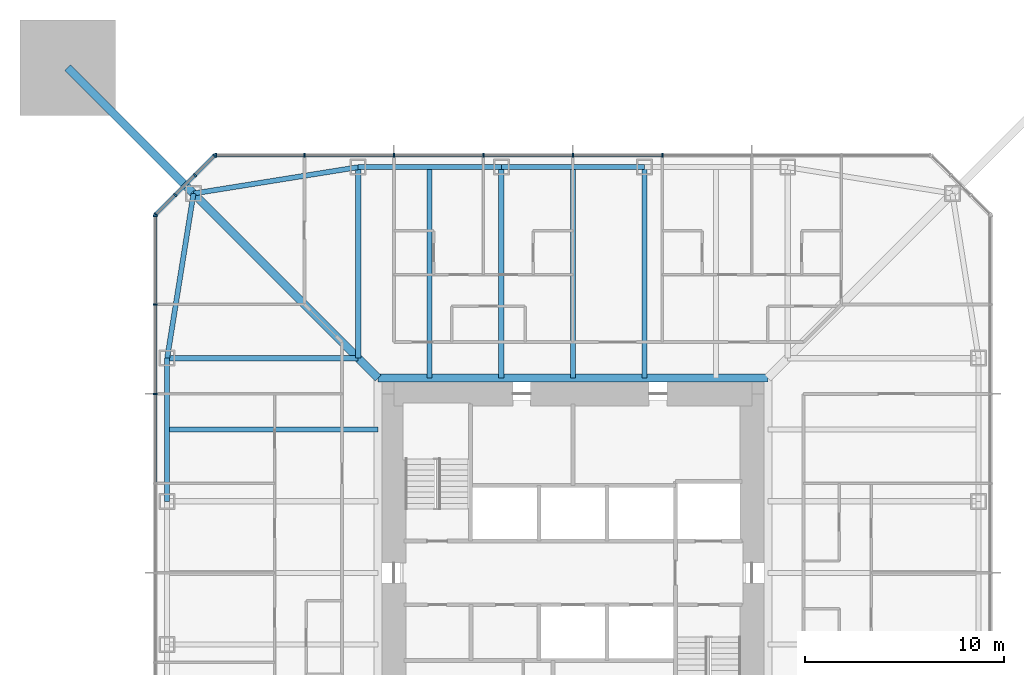
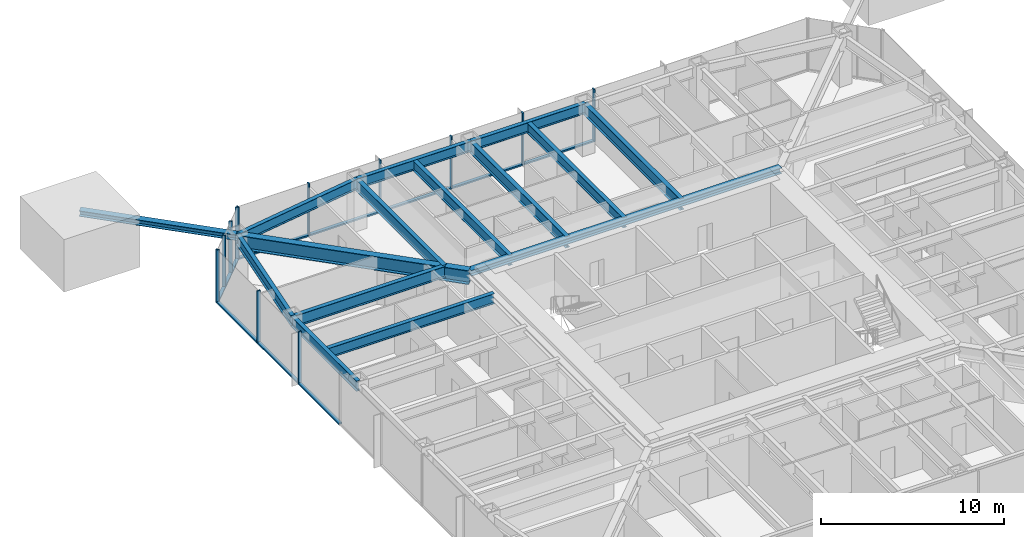
# One storey, part 6 of 25: 25 members, 14 beams, 3 elements without a shape of their own.
"""IFC4 building model written with IfcOpenShell, lengths in metres."""

from ifc_helpers import new_model, si_unit, direction, frame, origin, origin_2d, place, context, subcontext, project, spatial, rectangle, i_section, extrude, material, material_profile, profile_set, type_object, element, aggregate, save


model = new_model("IFC4")

# Units and contexts
model_context = context("Model", 3, precision=1e-05, world=origin(), true_north=direction((0.0, 1.0)))
body_context = subcontext(model_context, "Body", "Model", "MODEL_VIEW")
ifc_project = project(units=[si_unit("LENGTHUNIT", "METRE"), si_unit("AREAUNIT", "SQUARE_METRE"), si_unit("VOLUMEUNIT", "CUBIC_METRE"), si_unit("PLANEANGLEUNIT", "RADIAN"), si_unit("MASSUNIT", "GRAM", prefix="KILO")], contexts=[model_context])

# Site, building, storey
site_placement = place(None, origin())
site = spatial("IfcSite", under=ifc_project, at=site_placement, CompositionType="ELEMENT")
building_placement = place(site_placement, origin())
building = spatial("IfcBuilding", under=site, at=building_placement, Name="Iwan Alto Co-Living Towers", CompositionType="ELEMENT")
storey_placement = place(building_placement, frame((0.0, 0.0, 108.5)))
storey = spatial("IfcBuildingStorey", under=building, at=storey_placement, Name="L29", CompositionType="ELEMENT", Elevation=108.5)

# Curtain wall, members
ifc_material_1 = material(Name="Bronze aluminium unitised frame", Category="aluminium")
curtain_wall_type_1 = type_object("IfcCurtainWallType", Name="CURTAIN WALL CW-A", PredefinedType="NOTDEFINED", material=ifc_material_1)
curtain_wall_1_placement = place(storey_placement, origin())
curtain_wall_1 = element("IfcCurtainWall", 1, at=curtain_wall_1_placement, inside=storey, type_object=curtain_wall_type_1, Name="T1 curtain wall N L29", PredefinedType="NOTDEFINED")
ifc_material_2 = material(Name="Aluminium 6063-T6 bronze anodised", Category="aluminium")
ifc_material_profile_1 = material_profile(ifc_material_2, rectangle(XDim=0.199951171875, YDim=0.080078125, at=origin_2d()), Name="AL 80X200")
ifc_profile_set_1 = profile_set([ifc_material_profile_1], Name="Aluminium 6063-T6 bronze anodised")
member_type_1 = type_object("IfcMemberType", Name="CW-A MULLION 80X200", PredefinedType="MULLION", material=ifc_profile_set_1)
member_1_placement = place(storey_placement, frame((4.5, 21.0, 0.0), z_axis=(0.0, 0.0, 1.0), x_axis=(0.0, -1.0, 0.0)))
member_1 = element("IfcMember", 2, at=member_1_placement, type_object=member_type_1, Name="CW-A mullion 4", PredefinedType="MULLION", context=body_context, shape_type="SweptSolid", body=[
    extrude(rectangle(XDim=0.199951171875, YDim=0.080078125, at=origin_2d()), origin(), (0.0, 0.0, 1.0), 3.5),
])
member_2_placement = place(storey_placement, frame((0.0, 21.0, 0.0), z_axis=(0.0, 0.0, 1.0), x_axis=(0.0, -1.0, 0.0)))
member_2 = element("IfcMember", 3, at=member_2_placement, type_object=member_type_1, Name="CW-A mullion 5", PredefinedType="MULLION", context=body_context, shape_type="SweptSolid", body=[
    extrude(rectangle(XDim=0.199951171875, YDim=0.080078125, at=origin_2d()), origin(), (0.0, 0.0, 1.0), 3.5),
])
member_3_placement = place(storey_placement, frame((-4.5, 21.0, 0.0), z_axis=(0.0, 0.0, 1.0), x_axis=(0.0, -1.0, 0.0)))
member_3 = element("IfcMember", 4, at=member_3_placement, type_object=member_type_1, Name="CW-A mullion 6", PredefinedType="MULLION", context=body_context, shape_type="SweptSolid", body=[
    extrude(rectangle(XDim=0.199951171875, YDim=0.080078125, at=origin_2d()), origin(), (0.0, 0.0, 1.0), 3.5),
])
member_4_placement = place(storey_placement, frame((-9.0, 21.0, 0.0), z_axis=(0.0, 0.0, 1.0), x_axis=(0.0, -1.0, 0.0)))
member_4 = element("IfcMember", 5, at=member_4_placement, type_object=member_type_1, Name="CW-A mullion 7", PredefinedType="MULLION", context=body_context, shape_type="SweptSolid", body=[
    extrude(rectangle(XDim=0.199951171875, YDim=0.080078125, at=origin_2d()), origin(), (0.0, 0.0, 1.0), 3.5),
])
member_5_placement = place(storey_placement, frame((-13.5, 21.0, 0.0), z_axis=(0.0, 0.0, 1.0), x_axis=(0.0, -1.0, 0.0)))
member_5 = element("IfcMember", 6, at=member_5_placement, type_object=member_type_1, Name="CW-A mullion 8", PredefinedType="MULLION", context=body_context, shape_type="SweptSolid", body=[
    extrude(rectangle(XDim=0.199951171875, YDim=0.080078125, at=origin_2d()), origin(), (0.0, 0.0, 1.0), 3.5),
])
member_6_placement = place(storey_placement, frame((-17.9599609375, 21.0, 0.0), z_axis=(0.0, 0.0, 1.0), x_axis=(0.0, -1.0, 0.0)))
member_6 = element("IfcMember", 7, at=member_6_placement, type_object=member_type_1, Name="CW-A mullion 9", PredefinedType="MULLION", context=body_context, shape_type="SweptSolid", body=[
    extrude(rectangle(XDim=0.199951171875, YDim=0.080078125, at=origin_2d()), origin(), (0.0, 0.0, 1.0), 3.5),
])

curtain_wall_2_placement = place(storey_placement, origin())
curtain_wall_2 = element("IfcCurtainWall", 8, at=curtain_wall_2_placement, inside=storey, type_object=curtain_wall_type_1, Name="T1 curtain wall W L29", PredefinedType="NOTDEFINED")
member_7_placement = place(storey_placement, frame((-21.0, 17.9599609375, 0.0), z_axis=(0.0, 0.0, 1.0), x_axis=(1.0, 0.0, 0.0)))
member_7 = element("IfcMember", 9, at=member_7_placement, type_object=member_type_1, Name="CW-A mullion 1", PredefinedType="MULLION", context=body_context, shape_type="SweptSolid", body=[
    extrude(rectangle(XDim=0.199951171875, YDim=0.080078125, at=origin_2d()), origin(), (0.0, 0.0, 1.0), 3.5),
])
member_8_placement = place(storey_placement, frame((-21.0, 13.5, 0.0), z_axis=(0.0, 0.0, 1.0), x_axis=(1.0, 0.0, 0.0)))
member_8 = element("IfcMember", 10, at=member_8_placement, type_object=member_type_1, Name="CW-A mullion 2", PredefinedType="MULLION", context=body_context, shape_type="SweptSolid", body=[
    extrude(rectangle(XDim=0.199951171875, YDim=0.080078125, at=origin_2d()), origin(), (0.0, 0.0, 1.0), 3.5),
])
member_9_placement = place(storey_placement, frame((-21.0, 9.0, 0.0), z_axis=(0.0, 0.0, 1.0), x_axis=(1.0, 0.0, 0.0)))
member_9 = element("IfcMember", 11, at=member_9_placement, type_object=member_type_1, Name="CW-A mullion 3", PredefinedType="MULLION", context=body_context, shape_type="SweptSolid", body=[
    extrude(rectangle(XDim=0.199951171875, YDim=0.080078125, at=origin_2d()), origin(), (0.0, 0.0, 1.0), 3.5),
])

# Member
ifc_material_3 = material(Name="Aluminium 6063-T6 bronze anodised", Category="aluminium")
ifc_material_profile_2 = material_profile(ifc_material_3, rectangle(XDim=0.199951171875, YDim=0.10009765625, at=origin_2d()), Name="AL 200X100")
ifc_profile_set_2 = profile_set([ifc_material_profile_2], Name="Aluminium 6063-T6 bronze anodised")
member_type_2 = type_object("IfcMemberType", Name="CW-A TRANSOM 200X100", PredefinedType="USERDEFINED", material=ifc_profile_set_2)
member_10_placement = place(storey_placement, frame((4.4599609375, 21.0, 0.050048828125), z_axis=(-1.0, 0.0, 0.0), x_axis=(0.0, -1.0, 0.0)))
member_10 = element("IfcMember", 12, at=member_10_placement, type_object=member_type_2, Name="CW-A transom 4.1", ObjectType="TRANSOM", PredefinedType="USERDEFINED", context=body_context, shape_type="SweptSolid", body=[
    extrude(rectangle(XDim=0.199951171875, YDim=0.10009765625, at=origin_2d()), origin(), (0.0, 0.0, 1.0), 4.419921875),
])

member_11_placement = place(storey_placement, frame((-0.0400390625, 21.0, 0.050048828125), z_axis=(-1.0, 0.0, 0.0), x_axis=(0.0, -1.0, 0.0)))
member_11 = element("IfcMember", 13, at=member_11_placement, type_object=member_type_2, Name="CW-A transom 5.1", ObjectType="TRANSOM", PredefinedType="USERDEFINED", context=body_context, shape_type="SweptSolid", body=[
    extrude(rectangle(XDim=0.199951171875, YDim=0.10009765625, at=origin_2d()), origin(), (0.0, 0.0, 1.0), 4.419921875),
])

member_12_placement = place(storey_placement, frame((-4.5400390625, 21.0, 0.050048828125), z_axis=(-1.0, 0.0, 0.0), x_axis=(0.0, -1.0, 0.0)))
member_12 = element("IfcMember", 14, at=member_12_placement, type_object=member_type_2, Name="CW-A transom 6.1", ObjectType="TRANSOM", PredefinedType="USERDEFINED", context=body_context, shape_type="SweptSolid", body=[
    extrude(rectangle(XDim=0.199951171875, YDim=0.10009765625, at=origin_2d()), origin(), (0.0, 0.0, 1.0), 4.419921875),
])

member_13_placement = place(storey_placement, frame((-9.0400390625, 21.0, 0.050048828125), z_axis=(-1.0, 0.0, 0.0), x_axis=(0.0, -1.0, 0.0)))
member_13 = element("IfcMember", 15, at=member_13_placement, type_object=member_type_2, Name="CW-A transom 7.1", ObjectType="TRANSOM", PredefinedType="USERDEFINED", context=body_context, shape_type="SweptSolid", body=[
    extrude(rectangle(XDim=0.199951171875, YDim=0.10009765625, at=origin_2d()), origin(), (0.0, 0.0, 1.0), 4.419921875),
])

member_14_placement = place(storey_placement, frame((-13.5400390625, 21.0, 0.050048828125), z_axis=(-1.0, 0.0, 0.0), x_axis=(0.0, -1.0, 0.0)))
member_14 = element("IfcMember", 16, at=member_14_placement, type_object=member_type_2, Name="CW-A transom 8.1", ObjectType="TRANSOM", PredefinedType="USERDEFINED", context=body_context, shape_type="SweptSolid", body=[
    extrude(rectangle(XDim=0.199951171875, YDim=0.10009765625, at=origin_2d()), origin(), (0.0, 0.0, 1.0), 4.3798828125),
])

aggregate(curtain_wall_1, [member_1, member_2, member_3, member_4, member_5, member_6, member_10, member_11, member_12, member_13, member_14])

member_15_placement = place(storey_placement, frame((-21.0, 17.919921875, 0.050048828125), z_axis=(0.0, -1.0, 0.0), x_axis=(1.0, 0.0, 0.0)))
member_15 = element("IfcMember", 17, at=member_15_placement, type_object=member_type_2, Name="CW-A transom 1.1", ObjectType="TRANSOM", PredefinedType="USERDEFINED", context=body_context, shape_type="SweptSolid", body=[
    extrude(rectangle(XDim=0.199951171875, YDim=0.10009765625, at=origin_2d()), origin(), (0.0, 0.0, 1.0), 4.3798828125),
])

member_16_placement = place(storey_placement, frame((-21.0, 13.4599609375, 0.050048828125), z_axis=(0.0, -1.0, 0.0), x_axis=(1.0, 0.0, 0.0)))
member_16 = element("IfcMember", 18, at=member_16_placement, type_object=member_type_2, Name="CW-A transom 2.1", ObjectType="TRANSOM", PredefinedType="USERDEFINED", context=body_context, shape_type="SweptSolid", body=[
    extrude(rectangle(XDim=0.199951171875, YDim=0.10009765625, at=origin_2d()), origin(), (0.0, 0.0, 1.0), 4.419921875),
])

member_17_placement = place(storey_placement, frame((-21.0, 8.9599609375, 0.050048828125), z_axis=(0.0, -1.0, 0.0), x_axis=(1.0, 0.0, 0.0)))
member_17 = element("IfcMember", 19, at=member_17_placement, type_object=member_type_2, Name="CW-A transom 3.1", ObjectType="TRANSOM", PredefinedType="USERDEFINED", context=body_context, shape_type="SweptSolid", body=[
    extrude(rectangle(XDim=0.199951171875, YDim=0.10009765625, at=origin_2d()), origin(), (0.0, 0.0, 1.0), 4.419921875),
])

aggregate(curtain_wall_2, [member_7, member_8, member_9, member_15, member_16, member_17])

# Curtain wall, members
ifc_material_4 = material(Name="Bronze aluminium unitised frame", Category="aluminium")
curtain_wall_type_2 = type_object("IfcCurtainWallType", Name="CURTAIN WALL CW-B", PredefinedType="NOTDEFINED", material=ifc_material_4)
curtain_wall_3_placement = place(storey_placement, origin())
curtain_wall_3 = element("IfcCurtainWall", 20, at=curtain_wall_3_placement, inside=storey, type_object=curtain_wall_type_2, Name="T1 chamfer curtain wall NW L29", PredefinedType="NOTDEFINED")
ifc_material_5 = material(Name="Aluminium 6063-T6 bronze anodised", Category="aluminium")
ifc_material_profile_3 = material_profile(ifc_material_5, rectangle(XDim=0.199951171875, YDim=0.080078125, at=origin_2d()), Name="AL 80X200")
ifc_profile_set_3 = profile_set([ifc_material_profile_3], Name="Aluminium 6063-T6 bronze anodised")
member_type_3 = type_object("IfcMemberType", Name="CW-B MULLION 80X200", PredefinedType="MULLION", material=ifc_profile_set_3)
member_18_placement = place(storey_placement, frame((-18.0283203125, 20.9716796875, 0.0), z_axis=(0.0, 0.0, 1.0), x_axis=(0.707106781187, -0.707106781187, 0.0)))
member_18 = element("IfcMember", 21, at=member_18_placement, type_object=member_type_3, Name="CW-B mullion 1", PredefinedType="MULLION", context=body_context, shape_type="SweptSolid", body=[
    extrude(rectangle(XDim=0.199951171875, YDim=0.080078125, at=origin_2d()), origin(), (0.0, 0.0, 1.0), 3.5),
])
member_19_placement = place(storey_placement, frame((-19.0, 20.0, 0.0), z_axis=(0.0, 0.0, 1.0), x_axis=(0.707106781187, -0.707106781187, 0.0)))
member_19 = element("IfcMember", 22, at=member_19_placement, type_object=member_type_3, Name="CW-B mullion 2", PredefinedType="MULLION", context=body_context, shape_type="SweptSolid", body=[
    extrude(rectangle(XDim=0.199951171875, YDim=0.080078125, at=origin_2d()), origin(), (0.0, 0.0, 1.0), 3.5),
])
member_20_placement = place(storey_placement, frame((-20.0, 19.0, 0.0), z_axis=(0.0, 0.0, 1.0), x_axis=(0.707106781187, -0.707106781187, 0.0)))
member_20 = element("IfcMember", 23, at=member_20_placement, type_object=member_type_3, Name="CW-B mullion 3", PredefinedType="MULLION", context=body_context, shape_type="SweptSolid", body=[
    extrude(rectangle(XDim=0.199951171875, YDim=0.080078125, at=origin_2d()), origin(), (0.0, 0.0, 1.0), 3.5),
])
member_21_placement = place(storey_placement, frame((-20.9716796875, 18.0283203125, 0.0), z_axis=(0.0, 0.0, 1.0), x_axis=(0.707106781187, -0.707106781187, 0.0)))
member_21 = element("IfcMember", 24, at=member_21_placement, type_object=member_type_3, Name="CW-B mullion 4", PredefinedType="MULLION", context=body_context, shape_type="SweptSolid", body=[
    extrude(rectangle(XDim=0.199951171875, YDim=0.080078125, at=origin_2d()), origin(), (0.0, 0.0, 1.0), 3.5),
])
ifc_material_6 = material(Name="Aluminium 6063-T6 bronze anodised", Category="aluminium")
ifc_material_profile_4 = material_profile(ifc_material_6, rectangle(XDim=0.199951171875, YDim=0.10009765625, at=origin_2d()), Name="AL 200X100")
ifc_profile_set_4 = profile_set([ifc_material_profile_4], Name="Aluminium 6063-T6 bronze anodised")
member_type_4 = type_object("IfcMemberType", Name="CW-B TRANSOM 200X100", PredefinedType="USERDEFINED", material=ifc_profile_set_4)
member_22_placement = place(storey_placement, frame((-18.056640625, 20.943359375, 0.050048828125), z_axis=(-0.707106781187, -0.707106781187, 0.0), x_axis=(0.707106781187, -0.707106781187, 0.0)))
member_22 = element("IfcMember", 25, at=member_22_placement, type_object=member_type_4, Name="CW-B transom 1.1", ObjectType="TRANSOM", PredefinedType="USERDEFINED", context=body_context, shape_type="SweptSolid", body=[
    extrude(rectangle(XDim=0.199951171875, YDim=0.10009765625, at=origin_2d()), origin(), (0.0, 0.0, 1.0), 1.2939453125),
])
member_23_placement = place(storey_placement, frame((-19.0283203125, 19.9716796875, 0.050048828125), z_axis=(-0.707106781187, -0.707106781187, 0.0), x_axis=(0.707106781187, -0.707106781187, 0.0)))
member_23 = element("IfcMember", 26, at=member_23_placement, type_object=member_type_4, Name="CW-B transom 2.1", ObjectType="TRANSOM", PredefinedType="USERDEFINED", context=body_context, shape_type="SweptSolid", body=[
    extrude(rectangle(XDim=0.199951171875, YDim=0.10009765625, at=origin_2d()), origin(), (0.0, 0.0, 1.0), 1.334228515625),
])
member_24_placement = place(storey_placement, frame((-20.0283203125, 18.9716796875, 0.050048828125), z_axis=(-0.707106781187, -0.707106781187, 0.0), x_axis=(0.707106781187, -0.707106781187, 0.0)))
member_24 = element("IfcMember", 27, at=member_24_placement, type_object=member_type_4, Name="CW-B transom 3.1", ObjectType="TRANSOM", PredefinedType="USERDEFINED", context=body_context, shape_type="SweptSolid", body=[
    extrude(rectangle(XDim=0.199951171875, YDim=0.10009765625, at=origin_2d()), origin(), (0.0, 0.0, 1.0), 1.2939453125),
])
aggregate(curtain_wall_3, [member_18, member_19, member_20, member_21, member_22, member_23, member_24])

# Beams
ifc_material_7 = material(Name="Steel ASTM A992 Gr 50", Category="steel")
ifc_material_profile_5 = material_profile(ifc_material_7, i_section(OverallWidth=0.398681640625, OverallDepth=0.385986328125, WebThickness=0.02099609375, FlangeThickness=0.033203125, at=origin_2d()), Name="W14X176")
ifc_profile_set_5 = profile_set([ifc_material_profile_5], Name="Steel ASTM A992 Gr 50")
beam_type_1 = type_object("IfcBeamType", Name="T1 CORE LEDGER BEAM W14X176", PredefinedType="BEAM", material=ifc_profile_set_5)
beam_1_placement = place(storey_placement, frame((9.79931640625, 9.79931640625, 3.076904296875), z_axis=(-1.0, 0.0, 0.0), x_axis=(0.0, -1.0, 0.0)))
element("IfcBeam", 28, at=beam_1_placement, inside=storey, type_object=beam_type_1, Name="T1 core ledger beam N L30", PredefinedType="BEAM", context=body_context, shape_type="SweptSolid", body=[
    extrude(i_section(OverallWidth=0.398681640625, OverallDepth=0.385986328125, WebThickness=0.02099609375, FlangeThickness=0.033203125, at=origin_2d()), origin(), (0.0, 0.0, 1.0), 19.5986328125),
])
ifc_material_8 = material(Name="Steel ASTM A992 Gr 50", Category="steel")
ifc_material_profile_6 = material_profile(ifc_material_8, i_section(OverallWidth=0.419189453125, OverallDepth=0.927001953125, WebThickness=0.019287109375, FlangeThickness=0.031982421875, at=origin_2d()), Name="W36X231")
ifc_profile_set_6 = profile_set([ifc_material_profile_6], Name="Steel ASTM A992 Gr 50")
beam_type_2 = type_object("IfcBeamType", Name="T1 CORNER GIRDER W36X231", PredefinedType="BEAM", material=ifc_profile_set_6)
beam_2_placement = place(storey_placement, frame((-19.07568359375, 19.07568359375, 2.806396484375), z_axis=(0.707106781187, -0.707106781187, 0.0), x_axis=(0.707106781187, 0.707106781187, 0.0)))
element("IfcBeam", 29, at=beam_2_placement, inside=storey, type_object=beam_type_2, Name="T1 corner girder CNW L30", PredefinedType="BEAM", context=body_context, shape_type="SweptSolid", body=[
    extrude(i_section(OverallWidth=0.419189453125, OverallDepth=0.927001953125, WebThickness=0.019287109375, FlangeThickness=0.031982421875, at=origin_2d()), origin(), (0.0, 0.0, 1.0), 13.11865234375),
])
ifc_material_9 = material(Name="Steel ASTM A992 Gr 50", Category="steel")
ifc_material_profile_7 = material_profile(ifc_material_9, i_section(OverallWidth=0.25390625, OverallDepth=0.683349609375, WebThickness=0.012451171875, FlangeThickness=0.018798828125, at=origin_2d()), Name="W27X94")
ifc_profile_set_7 = profile_set([ifc_material_profile_7], Name="Steel ASTM A992 Gr 50")
beam_type_3 = type_object("IfcBeamType", Name="T1 EDGE BEAM W27X94", PredefinedType="BEAM", material=ifc_profile_set_7)
beam_3_placement = place(storey_placement, frame((3.60009765625, 20.39990234375, 2.928466796875), z_axis=(-1.0, 0.0, 0.0), x_axis=(0.0, -1.0, 0.0)))
element("IfcBeam", 30, at=beam_3_placement, inside=storey, type_object=beam_type_3, Name="T1 edge beam N2 L30", PredefinedType="BEAM", context=body_context, shape_type="SweptSolid", body=[
    extrude(i_section(OverallWidth=0.25390625, OverallDepth=0.683349609375, WebThickness=0.012451171875, FlangeThickness=0.018798828125, at=origin_2d()), origin(), (0.0, 0.0, 1.0), 7.2001953125),
])
beam_4_placement = place(storey_placement, frame((-3.60009765625, 20.39990234375, 2.928466796875), z_axis=(-1.0, 0.0, 0.0), x_axis=(0.0, -1.0, 0.0)))
element("IfcBeam", 31, at=beam_4_placement, inside=storey, type_object=beam_type_3, Name="T1 edge beam N3 L30", PredefinedType="BEAM", context=body_context, shape_type="SweptSolid", body=[
    extrude(i_section(OverallWidth=0.25390625, OverallDepth=0.683349609375, WebThickness=0.012451171875, FlangeThickness=0.018798828125, at=origin_2d()), origin(), (0.0, 0.0, 1.0), 7.199951171875),
])
for number, where, z_axis, x_axis, name in (
    (32, (-10.800048828125, 20.39990234375, 2.928466796875), (-0.987438450439, -0.158004134737, 0.0), (0.158004134737, -0.987438450439, 0.0), "T1 edge beam N4 L30"),
    (33, (-19.07568359375, 19.07568359375, 2.928466796875), (-0.158004134737, -0.987438450439, 0.0), (0.987438450439, -0.158004134737, 0.0), "T1 edge beam CNW L30"),
):
    element("IfcBeam", number, at=place(storey_placement, frame(where, z_axis=z_axis, x_axis=x_axis)), inside=storey, type_object=beam_type_3, Name=name, PredefinedType="BEAM", context=body_context, shape_type="SweptSolid", body=[
        extrude(i_section(OverallWidth=0.25390625, OverallDepth=0.683349609375, WebThickness=0.012451171875, FlangeThickness=0.018798828125, at=origin_2d()), origin(), (0.0, 0.0, 1.0), 8.380859375),
    ])
beam_5_placement = place(storey_placement, frame((-20.39990234375, 10.800048828125, 2.928466796875), z_axis=(0.0, -1.0, 0.0), x_axis=(1.0, 0.0, 0.0)))
element("IfcBeam", 34, at=beam_5_placement, inside=storey, type_object=beam_type_3, Name="T1 edge beam W1 L30", PredefinedType="BEAM", context=body_context, shape_type="SweptSolid", body=[
    extrude(i_section(OverallWidth=0.25390625, OverallDepth=0.683349609375, WebThickness=0.012451171875, FlangeThickness=0.018798828125, at=origin_2d()), origin(), (0.0, 0.0, 1.0), 7.199951171875),
])

# Member
ifc_material_10 = material(Name="Steel ASTM A992 Gr 50", Category="steel")
ifc_material_profile_8 = material_profile(ifc_material_10, i_section(OverallWidth=0.393798828125, OverallDepth=0.3759765625, WebThickness=0.017333984375, FlangeThickness=0.027587890625, at=origin_2d()), Name="W14X145")
ifc_profile_set_8 = profile_set([ifc_material_profile_8], Name="Steel ASTM A992 Gr 50")
member_type_5 = type_object("IfcMemberType", Name="T1 MEGA COLUMN FLOOR TIE W14X145", PredefinedType="STRUT", material=ifc_profile_set_8)
member_25_placement = place(storey_placement, frame((-25.39990234375, 25.39990234375, 3.08203125), z_axis=(0.707106781187, -0.707106781187, 0.0), x_axis=(0.707106781187, 0.707106781187, 0.0)))
element("IfcMember", 35, at=member_25_placement, inside=storey, type_object=member_type_5, Name="T1 mega column floor tie NW L30", PredefinedType="STRUT", context=body_context, shape_type="SweptSolid", body=[
    extrude(i_section(OverallWidth=0.393798828125, OverallDepth=0.3759765625, WebThickness=0.017333984375, FlangeThickness=0.027587890625, at=origin_2d()), origin(), (0.0, 0.0, 1.0), 8.94384765625),
])

# Beams
ifc_material_11 = material(Name="Steel ASTM A992 Gr 50", Category="steel")
ifc_material_profile_9 = material_profile(ifc_material_11, i_section(OverallWidth=0.2666015625, OverallDepth=0.761962890625, WebThickness=0.014404296875, FlangeThickness=0.021484375, at=origin_2d()), Name="W30X116")
ifc_profile_set_9 = profile_set([ifc_material_profile_9], Name="Steel ASTM A992 Gr 50")
beam_type_4 = type_object("IfcBeamType", Name="T1 RADIAL BEAM W30X116", PredefinedType="BEAM", material=ifc_profile_set_9)
for number, where, z_axis, x_axis, name in (
    (36, (3.60009765625, 20.39990234375, 2.888916015625), (0.0, -1.0, 0.0), (1.0, 0.0, 0.0), "T1 radial beam N2 L30"),
    (37, (-3.60009765625, 20.39990234375, 2.888916015625), (0.0, -1.0, 0.0), (1.0, 0.0, 0.0), "T1 radial beam N3 L30"),
):
    element("IfcBeam", number, at=place(storey_placement, frame(where, z_axis=z_axis, x_axis=x_axis)), inside=storey, type_object=beam_type_4, Name=name, PredefinedType="BEAM", context=body_context, shape_type="SweptSolid", body=[
        extrude(i_section(OverallWidth=0.2666015625, OverallDepth=0.761962890625, WebThickness=0.014404296875, FlangeThickness=0.021484375, at=origin_2d()), origin(), (0.0, 0.0, 1.0), 10.6005859375),
    ])
for number, where, z_axis, x_axis, name in (
    (38, (-10.800048828125, 20.39990234375, 2.888916015625), (0.0, -1.0, 0.0), (1.0, 0.0, 0.0), "T1 radial beam N4 L30"),
    (39, (-20.39990234375, 10.800048828125, 2.888916015625), (1.0, 0.0, 0.0), (0.0, 1.0, 0.0), "T1 radial beam W1 L30"),
):
    element("IfcBeam", number, at=place(storey_placement, frame(where, z_axis=z_axis, x_axis=x_axis)), inside=storey, type_object=beam_type_4, Name=name, PredefinedType="BEAM", context=body_context, shape_type="SweptSolid", body=[
        extrude(i_section(OverallWidth=0.2666015625, OverallDepth=0.761962890625, WebThickness=0.014404296875, FlangeThickness=0.021484375, at=origin_2d()), origin(), (0.0, 0.0, 1.0), 9.599853515625),
    ])
ifc_material_12 = material(Name="Steel ASTM A992 Gr 50", Category="steel")
ifc_material_profile_10 = material_profile(ifc_material_12, i_section(OverallWidth=0.25390625, OverallDepth=0.683349609375, WebThickness=0.012451171875, FlangeThickness=0.018798828125, at=origin_2d()), Name="W27X94")
ifc_profile_set_10 = profile_set([ifc_material_profile_10], Name="Steel ASTM A992 Gr 50")
beam_type_5 = type_object("IfcBeamType", Name="T1 SECONDARY BEAM W27X94", PredefinedType="JOIST", material=ifc_profile_set_10)
for number, where, z_axis, x_axis, name in (
    (40, (0.0, 20.39990234375, 2.928466796875), (0.0, -1.0, 0.0), (1.0, 0.0, 0.0), "T1 secondary beam N2 L30"),
    (41, (-7.199951171875, 20.39990234375, 2.928466796875), (0.0, -1.0, 0.0), (1.0, 0.0, 0.0), "T1 secondary beam N3 L30"),
    (42, (-20.39990234375, 7.199951171875, 2.928466796875), (1.0, 0.0, 0.0), (0.0, 1.0, 0.0), "T1 secondary beam W1 L30"),
):
    element("IfcBeam", number, at=place(storey_placement, frame(where, z_axis=z_axis, x_axis=x_axis)), inside=storey, type_object=beam_type_5, Name=name, PredefinedType="JOIST", context=body_context, shape_type="SweptSolid", body=[
        extrude(i_section(OverallWidth=0.25390625, OverallDepth=0.683349609375, WebThickness=0.012451171875, FlangeThickness=0.018798828125, at=origin_2d()), origin(), (0.0, 0.0, 1.0), 10.6005859375),
    ])

save(model, "model.ifc")
